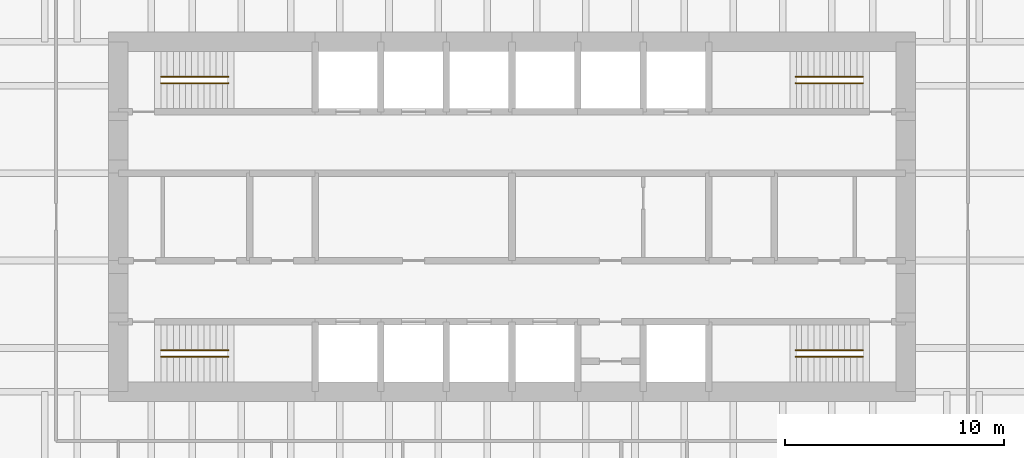
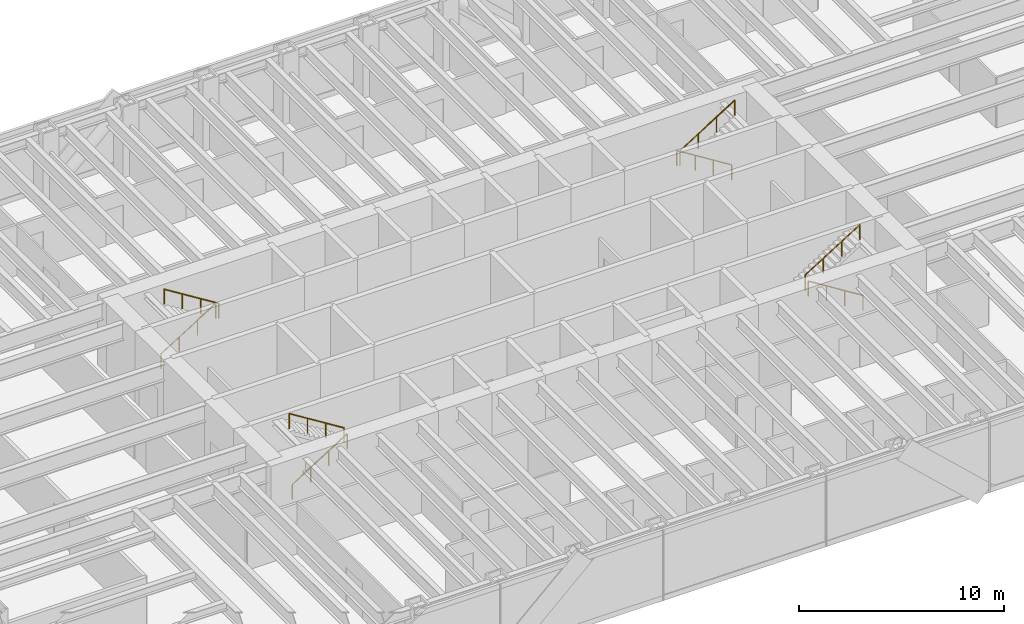
# One storey, part 16 of 16: 8 railings.
"""IFC4 building model written with IfcOpenShell, lengths in metres."""

from ifc_helpers import new_model, si_unit, direction, frame, origin, origin_2d, place, context, subcontext, project, spatial, circle, extrude, material, type_object, element, save


model = new_model("IFC4")

# Units and contexts
model_context = context("Model", 3, precision=1e-05, world=origin(), true_north=direction((0.0, 1.0)))
body_context = subcontext(model_context, "Body", "Model", "MODEL_VIEW")
ifc_project = project(units=[si_unit("LENGTHUNIT", "METRE"), si_unit("AREAUNIT", "SQUARE_METRE"), si_unit("VOLUMEUNIT", "CUBIC_METRE"), si_unit("PLANEANGLEUNIT", "RADIAN"), si_unit("MASSUNIT", "GRAM", prefix="KILO")], contexts=[model_context])

# Site, building, storey
site_placement = place(None, origin())
site = spatial("IfcSite", under=ifc_project, at=site_placement, CompositionType="ELEMENT")
building_placement = place(site_placement, origin())
building = spatial("IfcBuilding", under=site, at=building_placement, Name="Rheinbord Bourse Tower", CompositionType="ELEMENT")
storey_placement = place(building_placement, frame((0.0, 0.0, 171.89990234375)))
storey = spatial("IfcBuildingStorey", under=building, at=storey_placement, Name="L38", CompositionType="ELEMENT", Elevation=171.89990234375)

# Railings
ifc_material = material(Name="Steel handrail", Category="steel")
railing_type = type_object("IfcRailingType", Name="HANDRAIL 900", PredefinedType="HANDRAIL", material=ifc_material)
railing_1_placement = place(storey_placement, frame((19.949951171875, 17.60009765625, 0.175048828125)))
element("IfcRailing", 1, at=railing_1_placement, inside=storey, type_object=railing_type, Name="Handrail", PredefinedType="HANDRAIL", context=body_context, shape_type="SweptSolid", body=[
    extrude(circle(Radius=0.02392578125, at=origin_2d()), frame((0.0, 0.0, 0.8759765625), z_axis=(0.847998304005, 0.0, 0.529998940003), x_axis=(0.0, 1.0, 0.0)), (0.0, 0.0, 1.0), 3.632080078125),
    extrude(circle(Radius=0.02099609375, at=origin_2d()), origin(), (0.0, 0.0, 1.0), 0.851806640625),
    extrude(circle(Radius=0.02099609375, at=origin_2d()), frame((1.026611328125, 0.0, 0.6416015625)), (0.0, 0.0, 1.0), 0.851806640625),
    extrude(circle(Radius=0.02099609375, at=origin_2d()), frame((2.053466796875, 0.0, 1.283447265625)), (0.0, 0.0, 1.0), 0.851806640625),
    extrude(circle(Radius=0.02099609375, at=origin_2d()), frame((3.080078125, 0.0, 1.925048828125)), (0.0, 0.0, 1.0), 0.851806640625),
])
railing_2_placement = place(storey_placement, frame((23.030029296875, 17.89990234375, 2.275146484375)))
element("IfcRailing", 2, at=railing_2_placement, inside=storey, type_object=railing_type, Name="Handrail", PredefinedType="HANDRAIL", context=body_context, shape_type="SweptSolid", body=[
    extrude(circle(Radius=0.02392578125, at=origin_2d()), frame((0.0, 0.0, 0.8759765625), z_axis=(-0.847998304005, 0.0, 0.529998940003), x_axis=(0.0, -1.0, 0.0)), (0.0, 0.0, 1.0), 3.632080078125),
    extrude(circle(Radius=0.02099609375, at=origin_2d()), origin(), (0.0, 0.0, 1.0), 0.851806640625),
    extrude(circle(Radius=0.02099609375, at=origin_2d()), frame((-1.026611328125, 0.0, 0.6416015625)), (0.0, 0.0, 1.0), 0.851806640625),
    extrude(circle(Radius=0.02099609375, at=origin_2d()), frame((-2.053466796875, 0.0, 1.283447265625)), (0.0, 0.0, 1.0), 0.851806640625),
    extrude(circle(Radius=0.02099609375, at=origin_2d()), frame((-3.080078125, 0.0, 1.925048828125)), (0.0, 0.0, 1.0), 0.851806640625),
])
railing_3_placement = place(storey_placement, frame((19.949951171875, 30.39990234375, 0.175048828125)))
element("IfcRailing", 3, at=railing_3_placement, inside=storey, type_object=railing_type, Name="Handrail", PredefinedType="HANDRAIL", context=body_context, shape_type="SweptSolid", body=[
    extrude(circle(Radius=0.02392578125, at=origin_2d()), frame((0.0, 0.0, 0.8759765625), z_axis=(0.847998304005, 0.0, 0.529998940003), x_axis=(0.0, 1.0, 0.0)), (0.0, 0.0, 1.0), 3.632080078125),
    extrude(circle(Radius=0.02099609375, at=origin_2d()), origin(), (0.0, 0.0, 1.0), 0.851806640625),
    extrude(circle(Radius=0.02099609375, at=origin_2d()), frame((1.026611328125, 0.0, 0.6416015625)), (0.0, 0.0, 1.0), 0.851806640625),
    extrude(circle(Radius=0.02099609375, at=origin_2d()), frame((2.053466796875, 0.0, 1.283447265625)), (0.0, 0.0, 1.0), 0.851806640625),
    extrude(circle(Radius=0.02099609375, at=origin_2d()), frame((3.080078125, 0.0, 1.925048828125)), (0.0, 0.0, 1.0), 0.851806640625),
])
for number, where, name in (
    (4, (23.030029296875, 30.10009765625, 2.275146484375), "Handrail"),
    (5, (52.050048828125, 17.60009765625, 0.175048828125), "Handrail"),
):
    element("IfcRailing", number, at=place(storey_placement, frame(where)), inside=storey, type_object=railing_type, Name=name, PredefinedType="HANDRAIL", context=body_context, shape_type="SweptSolid", body=[
        extrude(circle(Radius=0.02392578125, at=origin_2d()), frame((0.0, 0.0, 0.8759765625), z_axis=(-0.847998304005, 0.0, 0.529998940003), x_axis=(0.0, -1.0, 0.0)), (0.0, 0.0, 1.0), 3.632080078125),
        extrude(circle(Radius=0.02099609375, at=origin_2d()), origin(), (0.0, 0.0, 1.0), 0.851806640625),
        extrude(circle(Radius=0.02099609375, at=origin_2d()), frame((-1.026611328125, 0.0, 0.6416015625)), (0.0, 0.0, 1.0), 0.851806640625),
        extrude(circle(Radius=0.02099609375, at=origin_2d()), frame((-2.053466796875, 0.0, 1.283447265625)), (0.0, 0.0, 1.0), 0.851806640625),
        extrude(circle(Radius=0.02099609375, at=origin_2d()), frame((-3.080078125, 0.0, 1.925048828125)), (0.0, 0.0, 1.0), 0.851806640625),
    ])
railing_4_placement = place(storey_placement, frame((48.969970703125, 17.89990234375, 2.275146484375)))
element("IfcRailing", 6, at=railing_4_placement, inside=storey, type_object=railing_type, Name="Handrail", PredefinedType="HANDRAIL", context=body_context, shape_type="SweptSolid", body=[
    extrude(circle(Radius=0.02392578125, at=origin_2d()), frame((0.0, 0.0, 0.8759765625), z_axis=(0.847998304005, 0.0, 0.529998940003), x_axis=(0.0, 1.0, 0.0)), (0.0, 0.0, 1.0), 3.632080078125),
    extrude(circle(Radius=0.02099609375, at=origin_2d()), origin(), (0.0, 0.0, 1.0), 0.851806640625),
    extrude(circle(Radius=0.02099609375, at=origin_2d()), frame((1.026611328125, 0.0, 0.6416015625)), (0.0, 0.0, 1.0), 0.851806640625),
    extrude(circle(Radius=0.02099609375, at=origin_2d()), frame((2.053466796875, 0.0, 1.283447265625)), (0.0, 0.0, 1.0), 0.851806640625),
    extrude(circle(Radius=0.02099609375, at=origin_2d()), frame((3.080078125, 0.0, 1.925048828125)), (0.0, 0.0, 1.0), 0.851806640625),
])
railing_5_placement = place(storey_placement, frame((52.050048828125, 30.39990234375, 0.175048828125)))
element("IfcRailing", 7, at=railing_5_placement, inside=storey, type_object=railing_type, Name="Handrail", PredefinedType="HANDRAIL", context=body_context, shape_type="SweptSolid", body=[
    extrude(circle(Radius=0.02392578125, at=origin_2d()), frame((0.0, 0.0, 0.8759765625), z_axis=(-0.847998304005, 0.0, 0.529998940003), x_axis=(0.0, -1.0, 0.0)), (0.0, 0.0, 1.0), 3.632080078125),
    extrude(circle(Radius=0.02099609375, at=origin_2d()), origin(), (0.0, 0.0, 1.0), 0.851806640625),
    extrude(circle(Radius=0.02099609375, at=origin_2d()), frame((-1.026611328125, 0.0, 0.6416015625)), (0.0, 0.0, 1.0), 0.851806640625),
    extrude(circle(Radius=0.02099609375, at=origin_2d()), frame((-2.053466796875, 0.0, 1.283447265625)), (0.0, 0.0, 1.0), 0.851806640625),
    extrude(circle(Radius=0.02099609375, at=origin_2d()), frame((-3.080078125, 0.0, 1.925048828125)), (0.0, 0.0, 1.0), 0.851806640625),
])
railing_6_placement = place(storey_placement, frame((48.969970703125, 30.10009765625, 2.275146484375)))
element("IfcRailing", 8, at=railing_6_placement, inside=storey, type_object=railing_type, Name="Handrail", PredefinedType="HANDRAIL", context=body_context, shape_type="SweptSolid", body=[
    extrude(circle(Radius=0.02392578125, at=origin_2d()), frame((0.0, 0.0, 0.8759765625), z_axis=(0.847998304005, 0.0, 0.529998940003), x_axis=(0.0, 1.0, 0.0)), (0.0, 0.0, 1.0), 3.632080078125),
    extrude(circle(Radius=0.02099609375, at=origin_2d()), origin(), (0.0, 0.0, 1.0), 0.851806640625),
    extrude(circle(Radius=0.02099609375, at=origin_2d()), frame((1.026611328125, 0.0, 0.6416015625)), (0.0, 0.0, 1.0), 0.851806640625),
    extrude(circle(Radius=0.02099609375, at=origin_2d()), frame((2.053466796875, 0.0, 1.283447265625)), (0.0, 0.0, 1.0), 0.851806640625),
    extrude(circle(Radius=0.02099609375, at=origin_2d()), frame((3.080078125, 0.0, 1.925048828125)), (0.0, 0.0, 1.0), 0.851806640625),
])

save(model, "model.ifc")
